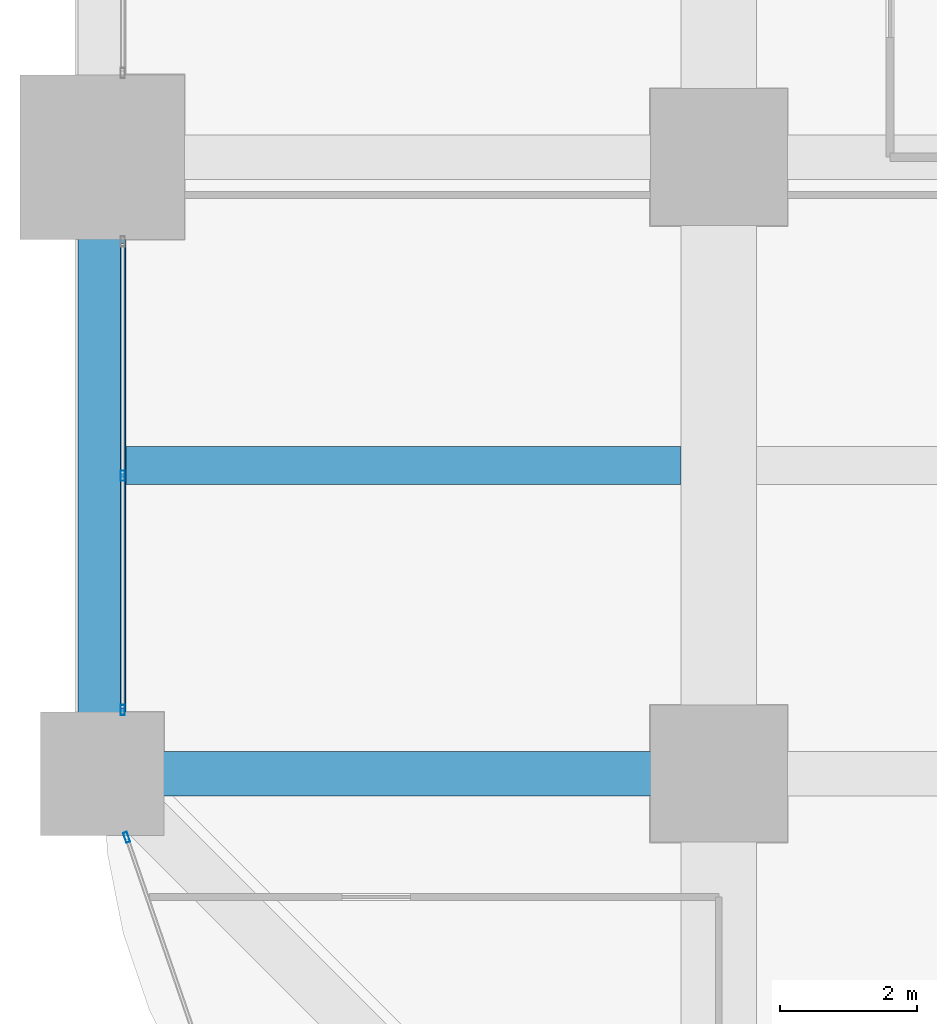
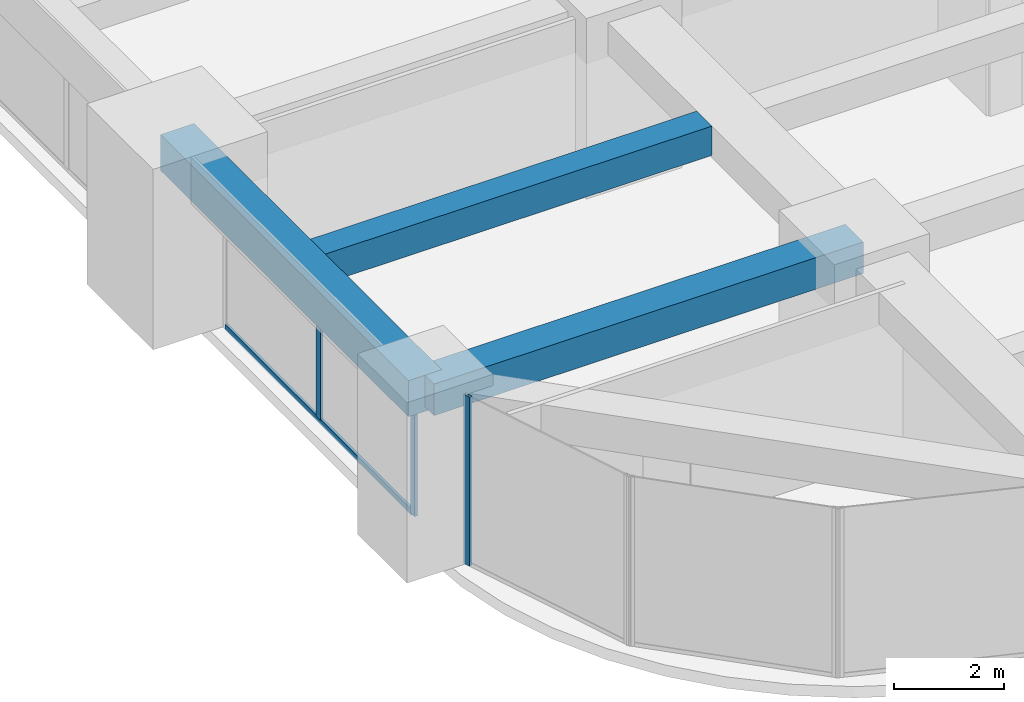
# One storey, part 4 of 40: 4 members, 3 beams, 2 elements without a shape of their own.
"""IFC4 building model written with IfcOpenShell, lengths in metres."""

from ifc_helpers import new_model, si_unit, direction, frame, origin, origin_2d, place, context, subcontext, project, spatial, rectangle, hollow_rectangle, extrude, material, material_profile, profile_set, type_object, element, aggregate, save


model = new_model("IFC4")

# Units and contexts
model_context = context("Model", 3, precision=1e-05, world=origin(), true_north=direction((0.0, 1.0)))
body_context = subcontext(model_context, "Body", "Model", "MODEL_VIEW")
ifc_project = project(units=[si_unit("LENGTHUNIT", "METRE"), si_unit("AREAUNIT", "SQUARE_METRE"), si_unit("VOLUMEUNIT", "CUBIC_METRE"), si_unit("PLANEANGLEUNIT", "RADIAN"), si_unit("MASSUNIT", "GRAM", prefix="KILO")], contexts=[model_context])

# Site, building, storey
site_placement = place(None, origin())
site = spatial("IfcSite", under=ifc_project, at=site_placement, CompositionType="ELEMENT")
building_placement = place(site_placement, origin())
building = spatial("IfcBuilding", under=site, at=building_placement, Name="Zorevar Civic Tower", CompositionType="ELEMENT")
storey_placement = place(building_placement, frame((0.0, 0.0, 93.0)))
storey = spatial("IfcBuildingStorey", under=building, at=storey_placement, Name="L22", CompositionType="ELEMENT", Elevation=93.0)

# Beams
ifc_material_1 = material(Name="Concrete C50/60", Category="concrete")
ifc_material_profile_1 = material_profile(ifc_material_1, rectangle(XDim=0.550048828125, YDim=0.64990234375, at=origin_2d()), Name="RC 550x650")
ifc_profile_set_1 = profile_set([ifc_material_profile_1], Name="Concrete C50/60")
beam_type_1 = type_object("IfcBeamType", Name="Beam RC 550x650", PredefinedType="BEAM", material=ifc_profile_set_1)
beam_1_placement = place(storey_placement, frame((0.35009765625, 13.5, 3.425048828125), z_axis=(1.0, 0.0, 0.0), x_axis=(0.0, 1.0, 0.0)))
element("IfcBeam", 1, at=beam_1_placement, inside=storey, type_object=beam_type_1, Name="Secondary beam L23", PredefinedType="BEAM", context=body_context, shape_type="SweptSolid", body=[
    extrude(rectangle(XDim=0.550048828125, YDim=0.64990234375, at=origin_2d()), origin(), (0.0, 0.0, 1.0), 8.099853515625),
])
ifc_material_2 = material(Name="Concrete C50/60", Category="concrete")
ifc_material_profile_2 = material_profile(ifc_material_2, rectangle(XDim=0.64990234375, YDim=0.699951171875, at=origin_2d()), Name="RC 650x700")
ifc_profile_set_2 = profile_set([ifc_material_profile_2], Name="Concrete C50/60")
beam_type_2 = type_object("IfcBeamType", Name="Beam RC 650x700", PredefinedType="BEAM", material=ifc_profile_set_2)
beam_2_placement = place(storey_placement, frame((0.0, 9.0, 3.39990234375), z_axis=(1.0, 0.0, 0.0), x_axis=(0.0, 1.0, 0.0)))
element("IfcBeam", 2, at=beam_2_placement, inside=storey, type_object=beam_type_2, Name="Girder L23", PredefinedType="BEAM", context=body_context, shape_type="SweptSolid", body=[
    extrude(rectangle(XDim=0.64990234375, YDim=0.699951171875, at=origin_2d()), origin(), (0.0, 0.0, 1.0), 9.0),
])

# Curtain wall, members
ifc_material_3 = material(Name="Dark grey solar-control glass in black aluminium frame", Category="aluminium")
curtain_wall_type = type_object("IfcCurtainWallType", Name="Curtain wall CW3 mid zone", PredefinedType="NOTDEFINED", material=ifc_material_3)
curtain_wall_1_placement = place(storey_placement, origin())
curtain_wall_1 = element("IfcCurtainWall", 3, at=curtain_wall_1_placement, inside=storey, type_object=curtain_wall_type, Name="CW3 L22", PredefinedType="NOTDEFINED")
ifc_material_4 = material(Name="Aluminium, black anodised", Category="aluminium")
ifc_material_profile_3 = material_profile(ifc_material_4, hollow_rectangle(XDim=0.06005859375, YDim=0.14990234375, WallThickness=0.00390625, at=origin_2d()), Name="AL 150x60x4")
ifc_profile_set_3 = profile_set([ifc_material_profile_3], Name="Aluminium, black anodised")
member_type_1 = type_object("IfcMemberType", Name="CW3 mullion AL 150x60x4", PredefinedType="MULLION", material=ifc_profile_set_3)
member_1_placement = place(storey_placement, frame((0.300048828125, 9.929931640625, 0.0), z_axis=(0.0, 0.0, 1.0), x_axis=(-1.0, 0.0, 0.0)))
member_1 = element("IfcMember", 4, at=member_1_placement, type_object=member_type_1, Name="CW3 mullion 1", PredefinedType="MULLION", context=body_context, shape_type="SweptSolid", body=[
    extrude(hollow_rectangle(XDim=0.06005859375, YDim=0.14990234375, WallThickness=0.00390625, at=origin_2d()), origin(), (0.0, 0.0, 1.0), 2.949951171875),
])
member_2_placement = place(storey_placement, frame((0.300048828125, 13.35009765625, 0.06005859375), z_axis=(0.0, 0.0, 1.0), x_axis=(-1.0, 0.0, 0.0)))
member_2 = element("IfcMember", 5, at=member_2_placement, type_object=member_type_1, Name="CW3 mullion 2", PredefinedType="MULLION", context=body_context, shape_type="SweptSolid", body=[
    extrude(hollow_rectangle(XDim=0.06005859375, YDim=0.14990234375, WallThickness=0.00390625, at=origin_2d()), origin(), (0.0, 0.0, 1.0), 2.889892578125),
])

# Curtain wall, member
curtain_wall_2_placement = place(storey_placement, origin())
curtain_wall_2 = element("IfcCurtainWall", 6, at=curtain_wall_2_placement, inside=storey, type_object=curtain_wall_type, Name="CW3 L22", PredefinedType="NOTDEFINED")
member_3_placement = place(storey_placement, frame((0.3564453125, 8.071533203125, 0.0), z_axis=(0.0, 0.0, 1.0), x_axis=(0.945755772794, 0.324878466857, 0.0)))
member_3 = element("IfcMember", 7, at=member_3_placement, type_object=member_type_1, Name="CW3 mullion 1", PredefinedType="MULLION", context=body_context, shape_type="SweptSolid", body=[
    extrude(hollow_rectangle(XDim=0.06005859375, YDim=0.14990234375, WallThickness=0.00390625, at=origin_2d()), origin(), (0.0, 0.0, 1.0), 3.75),
])
aggregate(curtain_wall_2, [member_3])

# Member
ifc_material_5 = material(Name="Aluminium, black anodised", Category="aluminium")
ifc_material_profile_4 = material_profile(ifc_material_5, hollow_rectangle(XDim=0.06005859375, YDim=0.1201171875, WallThickness=0.0029296875, at=origin_2d()), Name="AL 120x60x3")
ifc_profile_set_4 = profile_set([ifc_material_profile_4], Name="Aluminium, black anodised")
member_type_2 = type_object("IfcMemberType", Name="CW3 transom AL 120x60x3", PredefinedType="USERDEFINED", material=ifc_profile_set_4)
member_4_placement = place(storey_placement, frame((0.300048828125, 9.9599609375, 0.030029296875), z_axis=(0.0, 1.0, 0.0), x_axis=(-1.0, 0.0, 0.0)))
member_4 = element("IfcMember", 8, at=member_4_placement, type_object=member_type_2, Name="CW3 sill transom", ObjectType="TRANSOM", PredefinedType="USERDEFINED", context=body_context, shape_type="SweptSolid", body=[
    extrude(hollow_rectangle(XDim=0.06005859375, YDim=0.1201171875, WallThickness=0.0029296875, at=origin_2d()), origin(), (0.0, 0.0, 1.0), 6.780029296875),
])

aggregate(curtain_wall_1, [member_1, member_2, member_4])

# Beam
ifc_material_6 = material(Name="Concrete C50/60", Category="concrete")
ifc_material_profile_5 = material_profile(ifc_material_6, rectangle(XDim=0.699951171875, YDim=0.800048828125, at=origin_2d()), Name="RC 700x800")
ifc_profile_set_5 = profile_set([ifc_material_profile_5], Name="Concrete C50/60")
beam_type_3 = type_object("IfcBeamType", Name="Edge beam RC 700x800", PredefinedType="SPANDREL", material=ifc_profile_set_5)
beam_3_placement = place(storey_placement, frame((0.0, 9.0, 3.35009765625), z_axis=(0.0, 1.0, 0.0), x_axis=(-1.0, 0.0, 0.0)))
element("IfcBeam", 9, at=beam_3_placement, inside=storey, type_object=beam_type_3, Name="Edge beam L23", PredefinedType="SPANDREL", context=body_context, shape_type="SweptSolid", body=[
    extrude(rectangle(XDim=0.699951171875, YDim=0.800048828125, at=origin_2d()), origin(), (0.0, 0.0, 1.0), 9.0),
])

save(model, "model.ifc")
